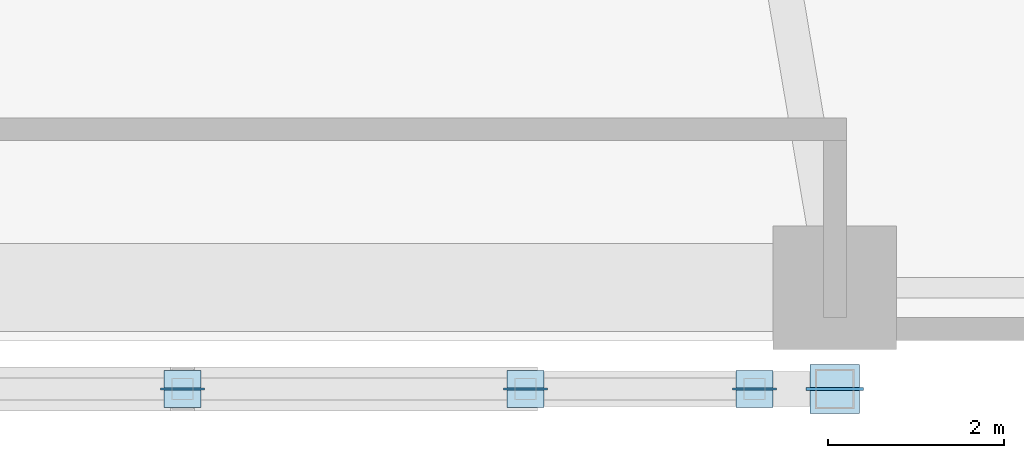
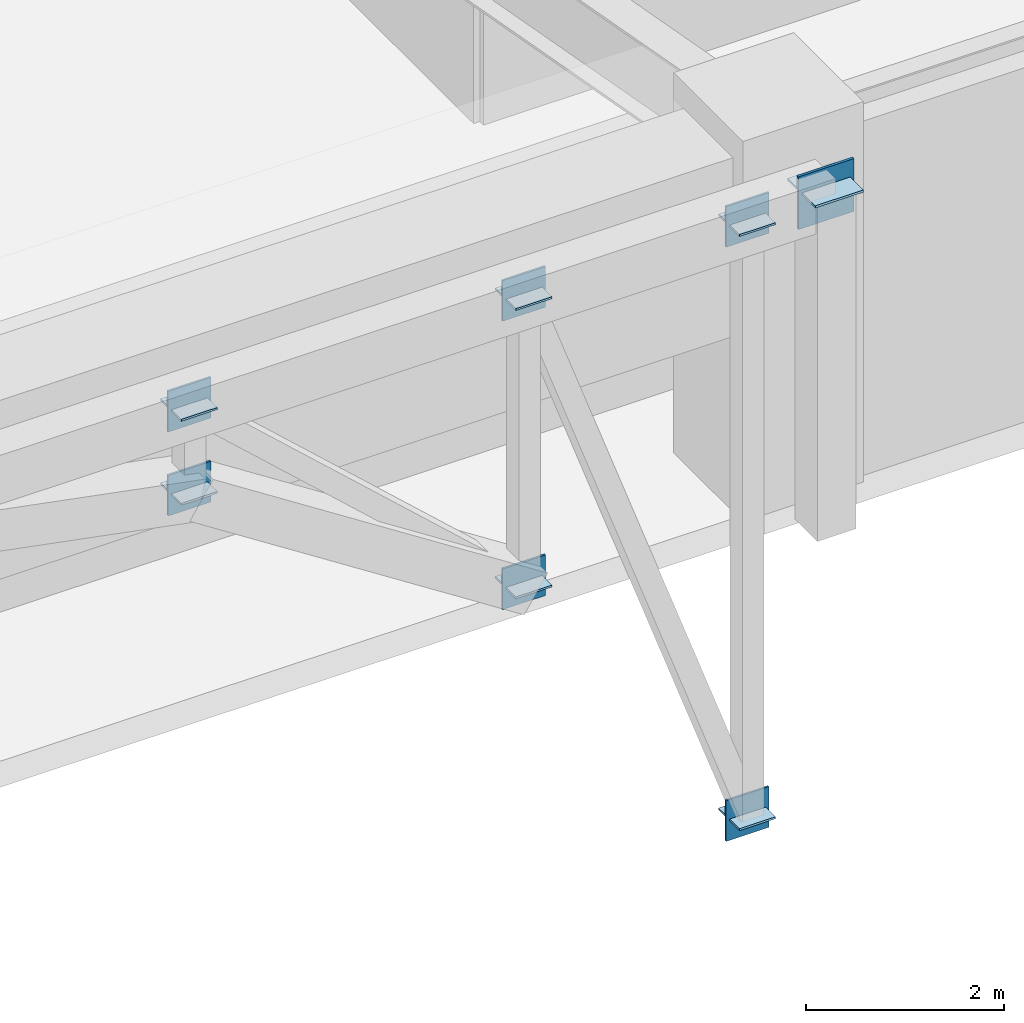
# One storey, part 10 of 21: 14 plates.
"""IFC4 building model written with IfcOpenShell, lengths in metres."""

from ifc_helpers import new_model, si_unit, direction, frame, origin, origin_2d, place, context, subcontext, project, spatial, rectangle, extrude, material, layer, layer_set, type_object, element, save


model = new_model("IFC4")

# Units and contexts
model_context = context("Model", 3, precision=1e-05, world=origin(), true_north=direction((0.0, 1.0)))
body_context = subcontext(model_context, "Body", "Model", "MODEL_VIEW")
ifc_project = project(units=[si_unit("LENGTHUNIT", "METRE"), si_unit("AREAUNIT", "SQUARE_METRE"), si_unit("VOLUMEUNIT", "CUBIC_METRE"), si_unit("PLANEANGLEUNIT", "RADIAN"), si_unit("MASSUNIT", "GRAM", prefix="KILO")], contexts=[model_context])

# Site, building, storey
site_placement = place(None, origin())
site = spatial("IfcSite", under=ifc_project, at=site_placement, CompositionType="ELEMENT")
building_placement = place(site_placement, origin())
building = spatial("IfcBuilding", under=site, at=building_placement, Name="Solmarez Civic Tower", CompositionType="ELEMENT")
storey_placement = place(building_placement, frame((0.0, 0.0, 10.080078125)))
storey = spatial("IfcBuildingStorey", under=building, at=storey_placement, Name="L02", CompositionType="ELEMENT", Elevation=10.080078125)

# Plates
ifc_material = material(Name="Steel S355", Category="steel")
ifc_layer_1 = layer(ifc_material, 0.02392578125)
ifc_layer_set_1 = layer_set([ifc_layer_1], Name="Steel S355")
plate_type_1 = type_object("IfcPlateType", Name="PLT-CAP-380", PredefinedType="USERDEFINED", material=ifc_layer_set_1)
for number, where, z_axis, x_axis, name in (
    (1, (4.592041015625, -28.14990234375, 3.02490234375), (0.0, 0.0, 1.0), (1.0, 0.0, 0.0), "Steel Member End Cap Plate CAP-ARCH-POST-5-0"),
    (2, (4.592041015625, -28.14990234375, 4.057861328125), (0.0, 0.0, 1.0), (1.0, 0.0, 0.0), "Steel Member End Cap Plate CAP-ARCH-POST-5-1"),
    (3, (8.485107421875, -28.14990234375, 0.510009765625), (0.0, 0.0, 1.0), (1.0, 0.0, 0.0), "Steel Member End Cap Plate CAP-ARCH-POST-6-0"),
    (4, (8.485107421875, -28.14990234375, 4.057861328125), (0.0, 0.0, 1.0), (1.0, 0.0, 0.0), "Steel Member End Cap Plate CAP-ARCH-POST-6-1"),
    (5, (11.0869140625, -28.14990234375, -3.2529296875), (0.0, 0.0, 1.0), (1.0, 0.0, 0.0), "Steel Member End Cap Plate CAP-ARCH-POST-7-0"),
    (6, (11.0869140625, -28.14990234375, 4.057861328125), (0.0, 0.0, 1.0), (1.0, 0.0, 0.0), "Steel Member End Cap Plate CAP-ARCH-POST-7-1"),
):
    element("IfcPlate", number, at=place(storey_placement, frame(where, z_axis=z_axis, x_axis=x_axis)), inside=storey, type_object=plate_type_1, Name=name, ObjectType="CAP_PLATE", PredefinedType="USERDEFINED", context=body_context, shape_type="SweptSolid", body=[
        extrude(rectangle(XDim=0.419921875, YDim=0.419921875, at=origin_2d()), origin(), (0.0, 0.0, 1.0), 0.02392578125),
    ])
ifc_layer_2 = layer(ifc_material, 0.028076171875)
ifc_layer_set_2 = layer_set([ifc_layer_2], Name="Steel S355")
plate_type_2 = type_object("IfcPlateType", Name="PLT-CAP-540", PredefinedType="USERDEFINED", material=ifc_layer_set_2)
plate_1_placement = place(storey_placement, frame((12.0, -28.14990234375, 4.15576171875), z_axis=(0.0, 0.0, 1.0), x_axis=(1.0, 0.0, 0.0)))
element("IfcPlate", 7, at=plate_1_placement, inside=storey, type_object=plate_type_2, Name="Steel Member End Cap Plate CAP-ARCH-TOP-E", ObjectType="CAP_PLATE", PredefinedType="USERDEFINED", context=body_context, shape_type="SweptSolid", body=[
    extrude(rectangle(XDim=0.56005859375, YDim=0.56005859375, at=origin_2d()), origin(), (0.0, 0.0, 1.0), 0.028076171875),
])
ifc_layer_3 = layer(ifc_material, 0.02490234375)
ifc_layer_set_3 = layer_set([ifc_layer_3], Name="Steel S355")
plate_type_3 = type_object("IfcPlateType", Name="PLT-GUSSET-25", PredefinedType="USERDEFINED", material=ifc_layer_set_3)
for number, where, z_axis, x_axis, name in (
    (8, (4.592041015625, -28.14990234375, 3.81982421875), (0.0, 0.0, 1.0), (1.0, 0.0, 0.0), "L02 Structural Gusset Plate GUS-ARCH-TOP-5"),
    (9, (4.592041015625, -28.14990234375, 2.786865234375), (0.0, 0.0, 1.0), (1.0, 0.0, 0.0), "L02 Structural Gusset Plate GUS-ARCH-BOT-5"),
    (10, (8.485107421875, -28.14990234375, 3.81982421875), (0.0, 0.0, 1.0), (1.0, 0.0, 0.0), "L02 Structural Gusset Plate GUS-ARCH-TOP-6"),
    (11, (8.485107421875, -28.14990234375, 0.27197265625), (0.0, 0.0, 1.0), (1.0, 0.0, 0.0), "L02 Structural Gusset Plate GUS-ARCH-BOT-6"),
    (12, (11.0869140625, -28.14990234375, 3.81982421875), (0.0, 0.0, 1.0), (1.0, 0.0, 0.0), "L02 Structural Gusset Plate GUS-ARCH-TOP-7"),
    (13, (11.0869140625, -28.14990234375, -3.490966796875), (0.0, 0.0, 1.0), (1.0, 0.0, 0.0), "L02 Structural Gusset Plate GUS-ARCH-BOT-7"),
):
    element("IfcPlate", number, at=place(storey_placement, frame(where, z_axis=z_axis, x_axis=x_axis)), inside=storey, type_object=plate_type_3, Name=name, ObjectType="GUSSET_PLATE", PredefinedType="USERDEFINED", context=body_context, shape_type="SweptSolid", body=[
        extrude(rectangle(XDim=0.5, YDim=0.02490234375, at=origin_2d()), origin(), (0.0, 0.0, 1.0), 0.5),
    ])
ifc_layer_4 = layer(ifc_material, 0.031982421875)
ifc_layer_set_4 = layer_set([ifc_layer_4], Name="Steel S355")
plate_type_4 = type_object("IfcPlateType", Name="PLT-GUSSET-32", PredefinedType="USERDEFINED", material=ifc_layer_set_4)
plate_2_placement = place(storey_placement, frame((12.0, -28.14990234375, 3.744873046875), z_axis=(0.0, 0.0, 1.0), x_axis=(1.0, 0.0, 0.0)))
element("IfcPlate", 14, at=plate_2_placement, inside=storey, type_object=plate_type_4, Name="L02 Structural Gusset Plate GUS-ARCH-TIE-E", ObjectType="GUSSET_PLATE", PredefinedType="USERDEFINED", context=body_context, shape_type="SweptSolid", body=[
    extrude(rectangle(XDim=0.64990234375, YDim=0.031982421875, at=origin_2d()), origin(), (0.0, 0.0, 1.0), 0.64990234375),
])

save(model, "model.ifc")
